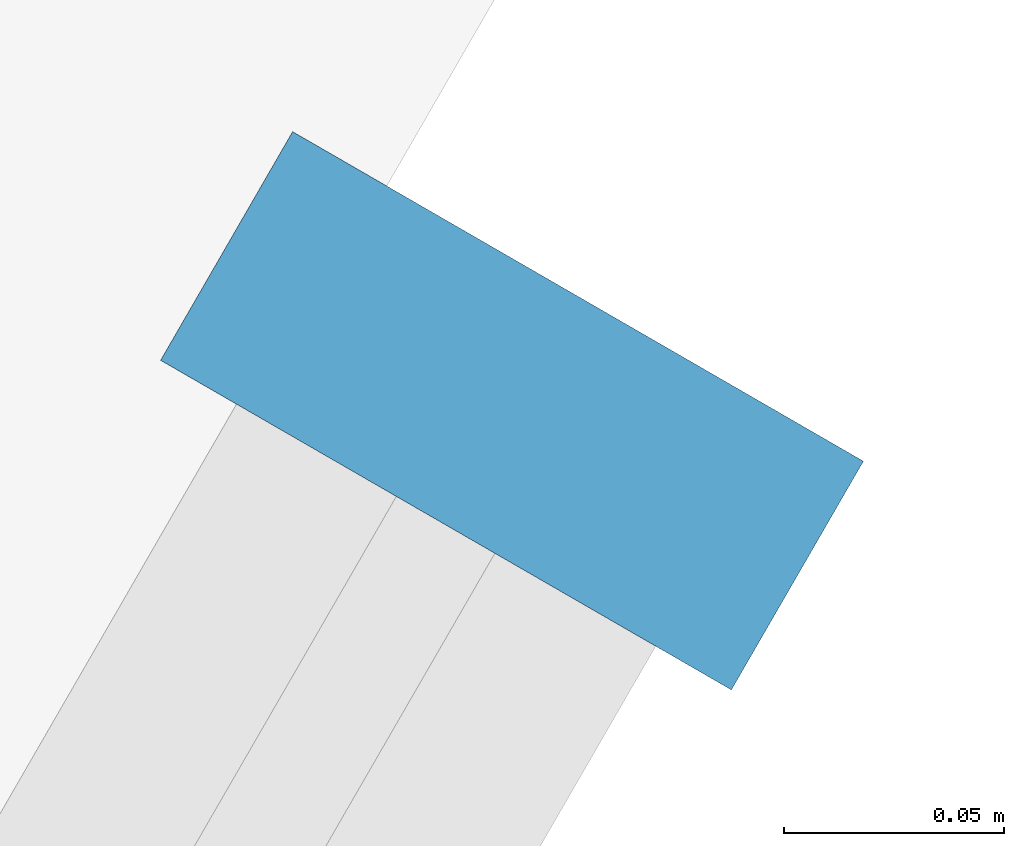
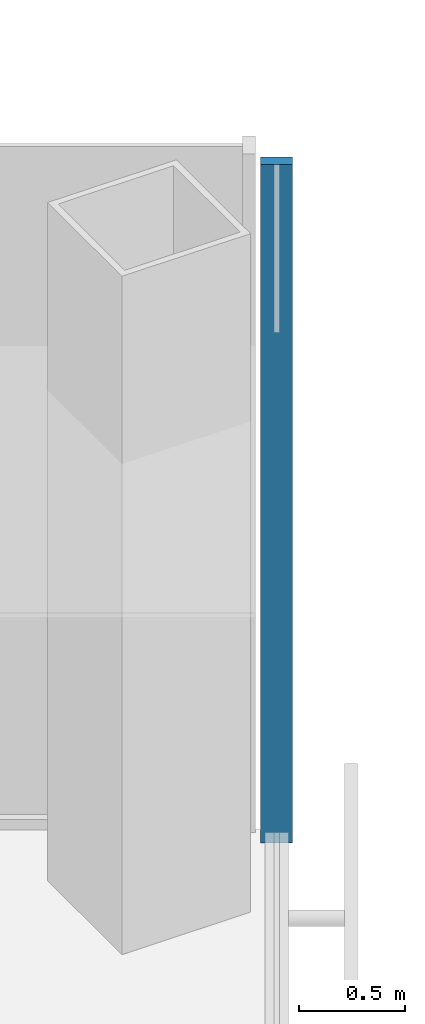
# One storey, part 9 of 18: 1 member, 1 element without a shape of its own.
"""IFC4 building model written with IfcOpenShell, lengths in metres."""

from ifc_helpers import new_model, si_unit, direction, frame, origin, origin_2d, place, context, subcontext, project, spatial, rectangle, extrude, material, material_profile, profile_set, type_object, element, aggregate, save


model = new_model("IFC4")

# Units and contexts
model_context = context("Model", 3, precision=1e-05, world=origin(), true_north=direction((0.0, 1.0)))
body_context = subcontext(model_context, "Body", "Model", "MODEL_VIEW")
ifc_project = project(units=[si_unit("LENGTHUNIT", "METRE"), si_unit("AREAUNIT", "SQUARE_METRE"), si_unit("VOLUMEUNIT", "CUBIC_METRE"), si_unit("PLANEANGLEUNIT", "RADIAN"), si_unit("MASSUNIT", "GRAM", prefix="KILO")], contexts=[model_context])

# Site, building, storey
site_placement = place(None, origin())
site = spatial("IfcSite", under=ifc_project, at=site_placement, CompositionType="ELEMENT")
building_placement = place(site_placement, origin())
building = spatial("IfcBuilding", under=site, at=building_placement, Name="Kasaneha Research Tower", CompositionType="ELEMENT")
storey_placement = place(building_placement, frame((0.0, 0.0, 195.5)))
storey = spatial("IfcBuildingStorey", under=building, at=storey_placement, Name="L49", CompositionType="ELEMENT", Elevation=195.5)

# Curtain wall, member
ifc_material_1 = material(Name="Glass and aluminium", Category="aluminium")
curtain_wall_type = type_object("IfcCurtainWallType", Name="Mid-rise office curtain wall", PredefinedType="USERDEFINED", material=ifc_material_1)
curtain_wall_placement = place(storey_placement, origin())
curtain_wall = element("IfcCurtainWall", 1, at=curtain_wall_placement, inside=storey, type_object=curtain_wall_type, Name="CW-O2 L49 run 04a", ObjectType="UNITISED CURTAIN WALL", PredefinedType="USERDEFINED")
ifc_material_2 = material(Name="Aluminium 6063-T6", Category="aluminium")
ifc_material_profile = material_profile(ifc_material_2, rectangle(XDim=0.06005859375, YDim=0.14990234375, at=origin_2d()), Name="CW-O2 mullion 60x150")
ifc_profile_set = profile_set([ifc_material_profile], Name="Aluminium 6063-T6")
member_type = type_object("IfcMemberType", Name="CW-O2 mullion", PredefinedType="MULLION", material=ifc_profile_set)
member_placement = place(storey_placement, frame((32.012939453125, -6.39306640625, 0.0), z_axis=(0.0, 0.0, 1.0), x_axis=(0.500000011442, 0.866025397178, 0.0)))
member = element("IfcMember", 2, at=member_placement, type_object=member_type, Name="CW-O2 mullion 4", PredefinedType="MULLION", context=body_context, shape_type="SweptSolid", body=[
    extrude(rectangle(XDim=0.06005859375, YDim=0.14990234375, at=origin_2d()), origin(), (0.0, 0.0, 1.0), 3.89990234375),
])
aggregate(curtain_wall, [member])

save(model, "model.ifc")
